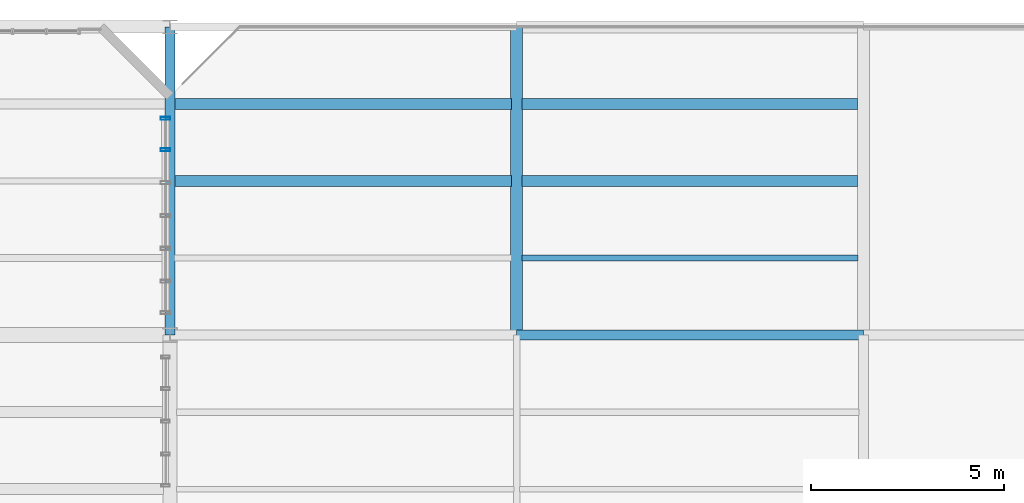
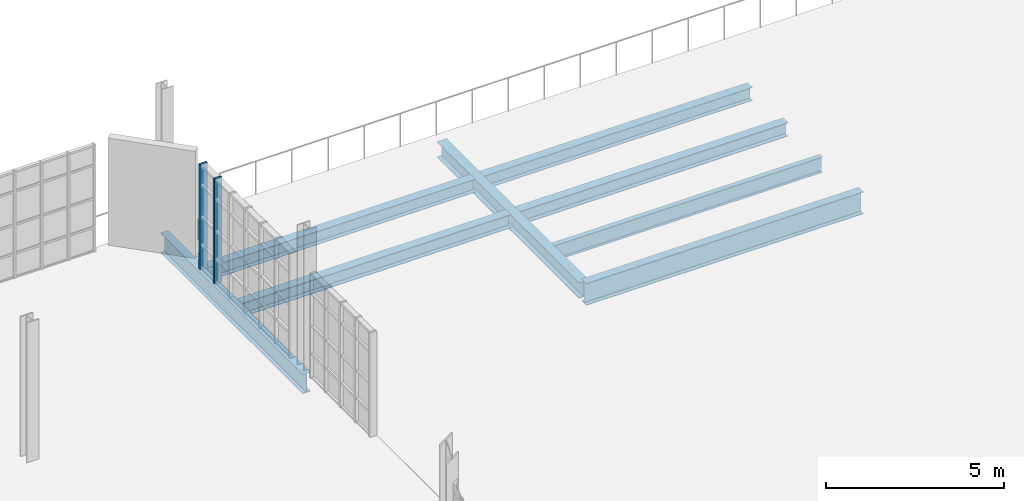
# One storey, part 54 of 85: 8 beams, 2 members, 1 element without a shape of its own.
"""IFC4 building model written with IfcOpenShell, lengths in metres."""

from ifc_helpers import new_model, si_unit, direction, frame, origin, origin_2d, place, context, subcontext, project, spatial, hollow_rectangle, i_section, extrude, material, layer, layer_set, material_profile, profile_set, type_object, element, aggregate, save


model = new_model("IFC4")

# Units and contexts
model_context = context("Model", 3, precision=1e-05, world=origin(), true_north=direction((0.0, 1.0)))
body_context = subcontext(model_context, "Body", "Model", "MODEL_VIEW")
ifc_project = project(units=[si_unit("LENGTHUNIT", "METRE"), si_unit("AREAUNIT", "SQUARE_METRE"), si_unit("VOLUMEUNIT", "CUBIC_METRE"), si_unit("PLANEANGLEUNIT", "RADIAN"), si_unit("MASSUNIT", "GRAM", prefix="KILO"), si_unit("THERMODYNAMICTEMPERATUREUNIT", "KELVIN"), si_unit("POWERUNIT", "WATT")], contexts=[model_context])

# Site, building, storey
site_placement = place(None, origin())
site = spatial("IfcSite", under=ifc_project, at=site_placement, CompositionType="ELEMENT")
building_placement = place(site_placement, origin())
building = spatial("IfcBuilding", under=site, at=building_placement, Name="Zelmaris Science Centre", CompositionType="ELEMENT")
storey_placement = place(building_placement, frame((0.0, 0.0, 20.39990234375)))
storey = spatial("IfcBuildingStorey", under=building, at=storey_placement, Name="L04", CompositionType="ELEMENT", Elevation=20.39990234375)

# Curtain wall, members
ifc_material_1 = material(Name="Anodised architectural aluminium 6063-T6", Category="aluminium")
ifc_layer = layer(ifc_material_1, 0.18994140625, Name="Anodised architectural aluminium 6063-T6")
ifc_layer_set = layer_set([ifc_layer], Name="Anodised architectural aluminium 6063-T6")
curtain_wall_type = type_object("IfcCurtainWallType", Name="Curtain Wall CW-01", PredefinedType="USERDEFINED", material=ifc_layer_set)
curtain_wall_placement = place(storey_placement, origin())
curtain_wall = element("IfcCurtainWall", 1, at=curtain_wall_placement, inside=storey, type_object=curtain_wall_type, Name="L04 Unitised curtain wall 345", ObjectType="GLAZED CURTAIN WALL", PredefinedType="USERDEFINED")
ifc_material_profile_1 = material_profile(ifc_material_1, hollow_rectangle(XDim=0.080078125, YDim=0.25, WallThickness=0.0048828125, at=origin_2d()), Name="ALU-MUL-80X250")
ifc_profile_set_1 = profile_set([ifc_material_profile_1], Name="Anodised architectural aluminium 6063-T6")
member_type = type_object("IfcMemberType", Name="ALU-MUL-80X250", PredefinedType="MULLION", material=ifc_profile_set_1)
member_1_placement = place(storey_placement, frame((80.88037109375, 85.623779296875, -0.014892578125), z_axis=(0.0, 0.0, 1.0), x_axis=(0.000771435453, -0.999999702444, 0.0)))
member_1 = element("IfcMember", 2, at=member_1_placement, type_object=member_type, Name="CW-01 mullion 1", PredefinedType="MULLION", context=body_context, shape_type="SweptSolid", body=[
    extrude(hollow_rectangle(XDim=0.080078125, YDim=0.25, WallThickness=0.0048828125, at=origin_2d()), origin(), (0.0, 0.0, 1.0), 3.60302734375),
])
member_2_placement = place(storey_placement, frame((80.880859375, 84.806640625, -0.014892578125), z_axis=(0.0, 0.0, 1.0), x_axis=(0.000771435453, -0.999999702444, 0.0)))
member_2 = element("IfcMember", 3, at=member_2_placement, type_object=member_type, Name="CW-01 mullion 2", PredefinedType="MULLION", context=body_context, shape_type="SweptSolid", body=[
    extrude(hollow_rectangle(XDim=0.080078125, YDim=0.25, WallThickness=0.0048828125, at=origin_2d()), origin(), (0.0, 0.0, 1.0), 3.60302734375),
])
aggregate(curtain_wall, [member_1, member_2])

# Beams
ifc_material_2 = material(Name="Steel ASTM A992 Grade 50", Category="steel")
ifc_material_profile_2 = material_profile(ifc_material_2, i_section(OverallWidth=0.26708984375, OverallDepth=0.761962890625, WebThickness=0.014404296875, FlangeThickness=0.021484375, FilletRadius=0.01904296875, at=origin_2d()), Name="W30X116")
ifc_profile_set_2 = profile_set([ifc_material_profile_2], Name="Steel ASTM A992 Grade 50")
beam_type_1 = type_object("IfcBeamType", Name="Beam G-33 W30X116", PredefinedType="BEAM", material=ifc_profile_set_2)
beam_1_placement = place(storey_placement, frame((90.0, 80.0, -0.630859375), z_axis=(1.0, 0.0, 0.0), x_axis=(0.0, 1.0, 0.0)))
element("IfcBeam", 4, at=beam_1_placement, inside=storey, type_object=beam_type_1, Name="L04 East-west girder 859", PredefinedType="BEAM", context=body_context, shape_type="SweptSolid", body=[
    extrude(i_section(OverallWidth=0.26708984375, OverallDepth=0.761962890625, WebThickness=0.014404296875, FlangeThickness=0.021484375, FilletRadius=0.01904296875, at=origin_2d()), origin(), (0.0, 0.0, 1.0), 9.0),
])
ifc_material_profile_3 = material_profile(ifc_material_2, i_section(OverallWidth=0.25390625, OverallDepth=0.677978515625, WebThickness=0.01171875, FlangeThickness=0.016357421875, FilletRadius=0.01806640625, at=origin_2d()), Name="W27X84")
ifc_profile_set_3 = profile_set([ifc_material_profile_3], Name="Steel ASTM A992 Grade 50")
beam_type_2 = type_object("IfcBeamType", Name="Beam G-36 W27X84", PredefinedType="BEAM", material=ifc_profile_set_3)
beam_2_placement = place(storey_placement, frame((81.0, 80.0, -0.5888671875), z_axis=(0.0, 1.0, 0.0), x_axis=(-1.0, 0.0, 0.0)))
element("IfcBeam", 5, at=beam_2_placement, inside=storey, type_object=beam_type_2, Name="L04 North-south girder 831", PredefinedType="BEAM", context=body_context, shape_type="SweptSolid", body=[
    extrude(i_section(OverallWidth=0.25390625, OverallDepth=0.677978515625, WebThickness=0.01171875, FlangeThickness=0.016357421875, FilletRadius=0.01806640625, at=origin_2d()), origin(), (0.0, 0.0, 1.0), 8.0),
])
ifc_material_profile_4 = material_profile(ifc_material_2, i_section(OverallWidth=0.31201171875, OverallDepth=0.5458984375, WebThickness=0.013916015625, FlangeThickness=0.022216796875, FilletRadius=0.013916015625, at=origin_2d()), Name="W21X111")
ifc_profile_set_4 = profile_set([ifc_material_profile_4], Name="Steel ASTM A992 Grade 50")
beam_type_3 = type_object("IfcBeamType", Name="Beam G-39 W21X111", PredefinedType="BEAM", material=ifc_profile_set_4)
beam_3_placement = place(storey_placement, frame((90.0, 80.0, -0.52294921875), z_axis=(0.0, 1.0, 0.0), x_axis=(-1.0, 0.0, 0.0)))
element("IfcBeam", 6, at=beam_3_placement, inside=storey, type_object=beam_type_3, Name="L04 North-south girder 834", PredefinedType="BEAM", context=body_context, shape_type="SweptSolid", body=[
    extrude(i_section(OverallWidth=0.31201171875, OverallDepth=0.5458984375, WebThickness=0.013916015625, FlangeThickness=0.022216796875, FilletRadius=0.013916015625, at=origin_2d()), origin(), (0.0, 0.0, 1.0), 8.0),
])
ifc_material_profile_5 = material_profile(ifc_material_2, i_section(OverallWidth=0.16796875, OverallDepth=0.532958984375, WebThickness=0.01025390625, FlangeThickness=0.0166015625, FilletRadius=0.013916015625, at=origin_2d()), Name="W21X57")
ifc_profile_set_5 = profile_set([ifc_material_profile_5], Name="Steel ASTM A992 Grade 50")
beam_type_4 = type_object("IfcBeamType", Name="Beam J-01 W21X57", PredefinedType="JOIST", material=ifc_profile_set_5)
beam_4_placement = place(storey_placement, frame((90.14111328125, 82.0, -0.516357421875), z_axis=(1.0, 0.0, 0.0), x_axis=(0.0, 1.0, 0.0)))
element("IfcBeam", 7, at=beam_4_placement, inside=storey, type_object=beam_type_4, Name="L04 Composite floor joist 414", PredefinedType="JOIST", context=body_context, shape_type="SweptSolid", body=[
    extrude(i_section(OverallWidth=0.16796875, OverallDepth=0.532958984375, WebThickness=0.01025390625, FlangeThickness=0.0166015625, FilletRadius=0.013916015625, at=origin_2d()), origin(), (0.0, 0.0, 1.0), 8.720458984375),
])
ifc_material_profile_6 = material_profile(ifc_material_2, i_section(OverallWidth=0.281982421875, OverallDepth=0.471923828125, WebThickness=0.013671875, FlangeThickness=0.022216796875, FilletRadius=0.012939453125, at=origin_2d()), Name="W18X97")
ifc_profile_set_6 = profile_set([ifc_material_profile_6], Name="Steel ASTM A992 Grade 50")
beam_type_5 = type_object("IfcBeamType", Name="Beam J-02 W18X97", PredefinedType="JOIST", material=ifc_profile_set_6)
beam_5_placement = place(storey_placement, frame((81.112060546875, 84.0, -0.48583984375), z_axis=(1.0, 0.0, 0.0), x_axis=(0.0, 1.0, 0.0)))
element("IfcBeam", 8, at=beam_5_placement, inside=storey, type_object=beam_type_5, Name="L04 Composite floor joist 406", PredefinedType="JOIST", context=body_context, shape_type="SweptSolid", body=[
    extrude(i_section(OverallWidth=0.281982421875, OverallDepth=0.471923828125, WebThickness=0.013671875, FlangeThickness=0.022216796875, FilletRadius=0.012939453125, at=origin_2d()), origin(), (0.0, 0.0, 1.0), 8.746826171875),
])
beam_6_placement = place(storey_placement, frame((90.14111328125, 84.0, -0.48583984375), z_axis=(1.0, 0.0, 0.0), x_axis=(0.0, 1.0, 0.0)))
element("IfcBeam", 9, at=beam_6_placement, inside=storey, type_object=beam_type_5, Name="L04 Composite floor joist 415", PredefinedType="JOIST", context=body_context, shape_type="SweptSolid", body=[
    extrude(i_section(OverallWidth=0.281982421875, OverallDepth=0.471923828125, WebThickness=0.013671875, FlangeThickness=0.022216796875, FilletRadius=0.012939453125, at=origin_2d()), origin(), (0.0, 0.0, 1.0), 8.720458984375),
])
ifc_material_profile_7 = material_profile(ifc_material_2, i_section(OverallWidth=0.279052734375, OverallDepth=0.4619140625, WebThickness=0.0107421875, FlangeThickness=0.017333984375, FilletRadius=0.012939453125, at=origin_2d()), Name="W18X76")
ifc_profile_set_7 = profile_set([ifc_material_profile_7], Name="Steel ASTM A992 Grade 50")
beam_type_6 = type_object("IfcBeamType", Name="Beam J-03 W18X76", PredefinedType="JOIST", material=ifc_profile_set_7)
beam_7_placement = place(storey_placement, frame((81.112060546875, 86.0, -0.48095703125), z_axis=(1.0, 0.0, 0.0), x_axis=(0.0, 1.0, 0.0)))
element("IfcBeam", 10, at=beam_7_placement, inside=storey, type_object=beam_type_6, Name="L04 Composite floor joist 407", PredefinedType="JOIST", context=body_context, shape_type="SweptSolid", body=[
    extrude(i_section(OverallWidth=0.279052734375, OverallDepth=0.4619140625, WebThickness=0.0107421875, FlangeThickness=0.017333984375, FilletRadius=0.012939453125, at=origin_2d()), origin(), (0.0, 0.0, 1.0), 8.746826171875),
])
beam_8_placement = place(storey_placement, frame((90.14111328125, 86.0, -0.48095703125), z_axis=(1.0, 0.0, 0.0), x_axis=(0.0, 1.0, 0.0)))
element("IfcBeam", 11, at=beam_8_placement, inside=storey, type_object=beam_type_6, Name="L04 Composite floor joist 416", PredefinedType="JOIST", context=body_context, shape_type="SweptSolid", body=[
    extrude(i_section(OverallWidth=0.279052734375, OverallDepth=0.4619140625, WebThickness=0.0107421875, FlangeThickness=0.017333984375, FilletRadius=0.012939453125, at=origin_2d()), origin(), (0.0, 0.0, 1.0), 8.720458984375),
])

save(model, "model.ifc")
